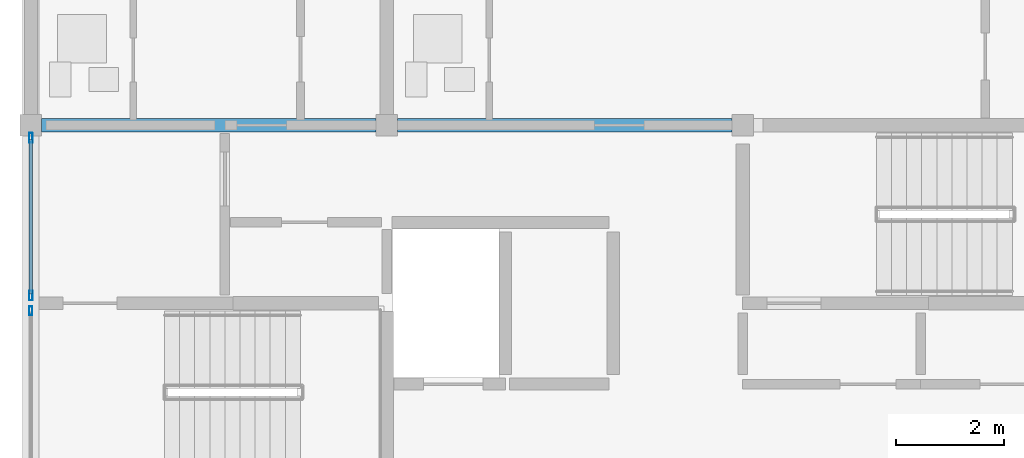
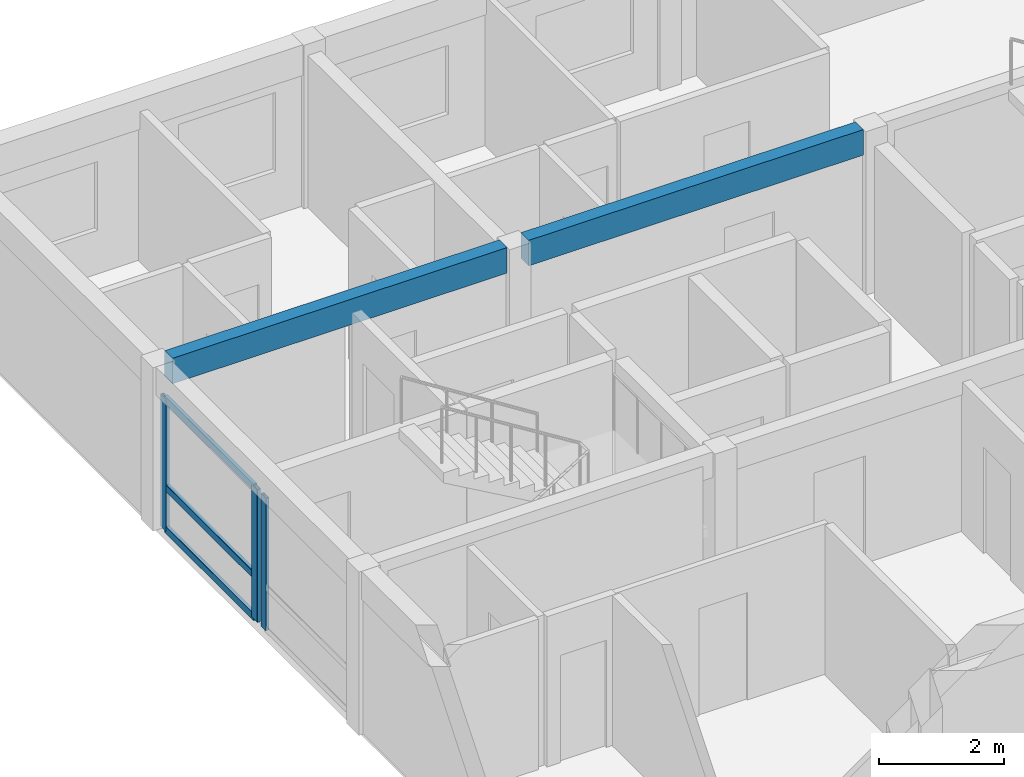
# One storey, part 4 of 12: 6 members, 2 beams, 2 elements without a shape of their own.
"""IFC4 building model written with IfcOpenShell, lengths in metres."""

import ifcopenshell
import ifcopenshell.guid

model = None  # the IFC model being written
_history = None  # IfcOwnerHistory: only IFC2X3 demands one
_inside = {}  # id of a spatial element -> (the spatial element, [elements in it])
_under = {}  # id of a project, library or spatial element -> (it, [spatial elements below it])
_declared = {}  # id of a project -> (the project, [libraries it declares])
_typed = {}  # id of a type object -> (the type object, [elements of that type])
_made_of = {}  # id of a material, layer set ... -> (it, [elements and type objects made of it])


def new_model(schema):
    """Start an empty IFC model of exactly this schema.

    Asked for "IFC4X3", IfcOpenShell would pick the latest addendum, in which some entities
    have other attributes; the version numbers below select the first issue.
    IFC2X3 requires an IfcOwnerHistory on every rooted entity: one is made here for all.
    """
    global model, _history
    if schema == "IFC4X3":
        model = ifcopenshell.file(schema_version=(4, 3, 0, 0))
    else:
        model = ifcopenshell.file(schema=schema)
    _inside.clear()
    _under.clear()
    _declared.clear()
    _typed.clear()
    _made_of.clear()
    _history = None
    if model.schema == "IFC2X3":
        org = make("IfcOrganization", Name="unknown")
        user = make(
            "IfcPersonAndOrganization",
            ThePerson=make("IfcPerson", FamilyName="unknown"),
            TheOrganization=org,
        )
        app = make(
            "IfcApplication",
            ApplicationDeveloper=org,
            Version="unknown",
            ApplicationFullName="unknown",
            ApplicationIdentifier="unknown",
        )
        _history = make(
            "IfcOwnerHistory",
            OwningUser=user,
            OwningApplication=app,
            ChangeAction="ADDED",
            CreationDate=0,
        )
    return model


def make(cls, **values):
    """One entity of the class cls with the attributes given. An attribute that is None is left unset."""
    return model.create_entity(
        cls, **{name: value for name, value in values.items() if value is not None}
    )


def rooted(cls, **values):
    """An entity with a GlobalId (a new one), such as an element, a storey or a relation."""
    return make(cls, GlobalId=ifcopenshell.guid.new(), OwnerHistory=_history, **values)


def si_unit(unit_type, name, prefix=None):
    """IfcSIUnit, for example si_unit("LENGTHUNIT", "METRE", prefix="MILLI")."""
    return make("IfcSIUnit", UnitType=unit_type, Prefix=prefix, Name=name)


def assignment(units):
    """IfcUnitAssignment: the units of a project."""
    return None if units is None else make("IfcUnitAssignment", Units=units)


def point(xyz):
    """IfcCartesianPoint."""
    return None if xyz is None else make("IfcCartesianPoint", Coordinates=xyz)


def direction(xyz):
    """IfcDirection."""
    return None if xyz is None else make("IfcDirection", DirectionRatios=xyz)


def frame(location, z_axis=None, x_axis=None):
    """IfcAxis2Placement3D, a coordinate frame: its origin and axes. An axis left out is left unset."""
    return make(
        "IfcAxis2Placement3D",
        Location=point(location),
        Axis=direction(z_axis),
        RefDirection=direction(x_axis),
    )


def frame_2d(location, x_axis=None):
    """IfcAxis2Placement2D, a coordinate frame in the plane: its origin and x axis."""
    return make(
        "IfcAxis2Placement2D", Location=point(location), RefDirection=direction(x_axis)
    )


def origin():
    """The frame at (0, 0, 0) with its axes left unset."""
    return frame((0.0, 0.0, 0.0))


def origin_2d():
    """The frame at (0, 0) in the plane with its x axis left unset."""
    return frame_2d((0.0, 0.0))


def place(relative_to, where):
    """IfcLocalPlacement: puts the frame where relative to a parent placement (None: the world)."""
    return make(
        "IfcLocalPlacement", PlacementRelTo=relative_to, RelativePlacement=where
    )


def context(
    kind, dimensions, precision=None, world=None, true_north=None, identifier=None
):
    """IfcGeometricRepresentationContext, for example the 3D "Model" context."""
    return make(
        "IfcGeometricRepresentationContext",
        ContextIdentifier=identifier,
        ContextType=kind,
        CoordinateSpaceDimension=dimensions,
        Precision=precision,
        WorldCoordinateSystem=world,
        TrueNorth=true_north,
    )


def subcontext(parent, identifier, kind, view, scale=None):
    """IfcGeometricRepresentationSubContext, for example "Body" below "Model"."""
    return make(
        "IfcGeometricRepresentationSubContext",
        ContextIdentifier=identifier,
        ContextType=kind,
        ParentContext=parent,
        TargetScale=scale,
        TargetView=view,
    )


def project(units=None, contexts=None):
    """IfcProject with its units and contexts."""
    return rooted(
        "IfcProject",
        Name="project",
        RepresentationContexts=contexts,
        UnitsInContext=assignment(units),
    )


def spatial(cls, under=None, at=None, **own):
    """A site, building, storey or space (cls), placed at a placement, below another one or the project."""
    s = rooted(cls, ObjectPlacement=at, **own)
    if under is not None:
        _under.setdefault(under.id(), (under, []))[1].append(s)
    return s


def profile(cls, at=None, kind="AREA", **sizes):
    """A parametric profile (cls). Its sizes go by their IFC names, for example OverallWidth=200.0."""
    return make(cls, ProfileType=kind, Position=at, **sizes)


def rectangle(**sizes):
    """IfcRectangleProfileDef."""
    return profile("IfcRectangleProfileDef", **sizes)


def hollow_rectangle(**sizes):
    """IfcRectangleHollowProfileDef."""
    return profile("IfcRectangleHollowProfileDef", **sizes)


def extrude(swept, where, along, depth):
    """IfcExtrudedAreaSolid: the profile swept, set in the frame where, extruded along a direction by depth."""
    return make(
        "IfcExtrudedAreaSolid",
        SweptArea=swept,
        Position=where,
        ExtrudedDirection=direction(along),
        Depth=depth,
    )


def shape(context_of_items, identifier, shape_type, items):
    """IfcShapeRepresentation: the items that make up one representation, for example the "Body"."""
    return make(
        "IfcShapeRepresentation",
        ContextOfItems=context_of_items,
        RepresentationIdentifier=identifier,
        RepresentationType=shape_type,
        Items=items,
    )


def material(Name=None, Category=None):
    """IfcMaterial."""
    return make("IfcMaterial", Name=Name, Category=Category)


def material_profile(
    of_material, cross_section, Name=None, Category=None, Priority=None
):
    """IfcMaterialProfile: a cross section and its material."""
    return make(
        "IfcMaterialProfile",
        Name=Name,
        Material=of_material,
        Profile=cross_section,
        Priority=Priority,
        Category=Category,
    )


def profile_set(profiles, Name=None, composite=None):
    """IfcMaterialProfileSet."""
    return make(
        "IfcMaterialProfileSet",
        Name=Name,
        MaterialProfiles=profiles,
        CompositeProfile=composite,
    )


def made_of(thing, what):
    """Note that an element or type object is made of a material, layer set ...; save() writes the relation."""
    if what is not None:
        _made_of.setdefault(what.id(), (what, []))[1].append(thing)
    return thing


def type_object(cls, material=None, **own):
    """A type object (cls), such as IfcWallType, which elements share."""
    return made_of(rooted(cls, **own), material)


def element(
    cls,
    number,
    at=None,
    inside=None,
    cuts=None,
    type_object=None,
    material=None,
    context=None,
    identifier="Body",
    shape_type=None,
    held_by="IfcProductDefinitionShape",
    body=None,
    shapes=None,
    **own,
):
    """One element of the class cls, such as IfcWall. Its Tag is "e" and its number.

    at: its placement. inside: the storey or other place that contains it. cuts: it is an
    opening in that element (IfcRelVoidsElement). A single representation is given by context,
    identifier, shape_type and body (its items); several are given by shapes. held_by: the class
    of the entity that holds the representations. save() writes the other relations.
    """
    e = rooted(cls, Tag="e%d" % number, ObjectPlacement=at, **own)
    if body is not None:
        shapes = [shape(context, identifier, shape_type, body)]
    if shapes is not None:
        e.Representation = make(held_by, Representations=shapes)
    if inside is not None:
        _inside.setdefault(inside.id(), (inside, []))[1].append(e)
    if cuts is not None:
        rooted(
            "IfcRelVoidsElement", RelatingBuildingElement=cuts, RelatedOpeningElement=e
        )
    if type_object is not None:
        _typed.setdefault(type_object.id(), (type_object, []))[1].append(e)
    return made_of(e, material)


def aggregate(whole, parts):
    """IfcRelAggregates: a whole, such as a stair, and the parts it consists of."""
    return rooted("IfcRelAggregates", RelatingObject=whole, RelatedObjects=parts)


def save(model, path):
    """Write the relations noted so far, then the file.

    IfcRelAggregates (storeys below a building ...), IfcRelContainedInSpatialStructure (elements
    in a storey), IfcRelDefinesByType, IfcRelAssociatesMaterial and IfcRelDeclares: one each for
    every whole, place, type object, material and project.
    """
    for whole, parts in _under.values():
        aggregate(whole, parts)
    for where, things in _inside.values():
        rooted(
            "IfcRelContainedInSpatialStructure",
            RelatedElements=things,
            RelatingStructure=where,
        )
    for kind, things in _typed.values():
        rooted("IfcRelDefinesByType", RelatedObjects=things, RelatingType=kind)
    for what, things in _made_of.values():
        rooted("IfcRelAssociatesMaterial", RelatedObjects=things, RelatingMaterial=what)
    for by, libraries in _declared.values():
        rooted("IfcRelDeclares", RelatingContext=by, RelatedDefinitions=libraries)
    model.write(path)


model = new_model("IFC4")

# Units and contexts
model_context = context("Model", 3, precision=1e-05, world=origin(), true_north=direction((0.0, 1.0)))
body_context = subcontext(model_context, "Body", "Model", "MODEL_VIEW")
ifc_project = project(units=[si_unit("LENGTHUNIT", "METRE"), si_unit("AREAUNIT", "SQUARE_METRE"), si_unit("VOLUMEUNIT", "CUBIC_METRE"), si_unit("PLANEANGLEUNIT", "RADIAN"), si_unit("MASSUNIT", "GRAM", prefix="KILO")], contexts=[model_context])

# Site, building, storey
site_placement = place(None, origin())
site = spatial("IfcSite", under=ifc_project, at=site_placement, CompositionType="ELEMENT")
building_placement = place(site_placement, origin())
building = spatial("IfcBuilding", under=site, at=building_placement, Name="Kernevlak Ridge Housing Community", CompositionType="ELEMENT")
storey_placement = place(building_placement, frame((0.0, 0.0, 53.199951171875)))
storey = spatial("IfcBuildingStorey", under=building, at=storey_placement, Name="L16", CompositionType="ELEMENT", Elevation=53.199951171875)

# Beams
ifc_material_1 = material(Name="Concrete C35/45", Category="concrete")
ifc_material_profile_1 = material_profile(ifc_material_1, rectangle(XDim=0.25, YDim=0.5, at=origin_2d()), Name="RC 250x500")
ifc_profile_set_1 = profile_set([ifc_material_profile_1], Name="Concrete C35/45")
beam_type = type_object("IfcBeamType", Name="B-06", PredefinedType="T_BEAM", material=ifc_profile_set_1)
beam_1_placement = place(storey_placement, frame((15.800048828125, 89.199951171875, 2.949951171875), z_axis=(1.0, 0.0, 0.0), x_axis=(0.0, 1.0, 0.0)))
element("IfcBeam", 1, at=beam_1_placement, inside=storey, type_object=beam_type, Name="Beam B-06 L16 483", PredefinedType="T_BEAM", context=body_context, shape_type="SweptSolid", body=[
    extrude(rectangle(XDim=0.25, YDim=0.5, at=origin_2d()), origin(), (0.0, 0.0, 1.0), 6.199951171875),
])
beam_2_placement = place(storey_placement, frame((22.39990234375, 89.199951171875, 2.949951171875), z_axis=(1.0, 0.0, 0.0), x_axis=(0.0, 1.0, 0.0)))
element("IfcBeam", 2, at=beam_2_placement, inside=storey, type_object=beam_type, Name="Beam B-06 L16 484", PredefinedType="T_BEAM", context=body_context, shape_type="SweptSolid", body=[
    extrude(rectangle(XDim=0.25, YDim=0.5, at=origin_2d()), origin(), (0.0, 0.0, 1.0), 6.2001953125),
])

# Curtain wall, member
ifc_material_2 = material(Name="Aluminium EN AW-6060 anodised and laminated glass", Category="aluminium")
curtain_wall_type_1 = type_object("IfcCurtainWallType", Name="CW-01", PredefinedType="NOTDEFINED", material=ifc_material_2)
curtain_wall_1_placement = place(storey_placement, origin())
curtain_wall_1 = element("IfcCurtainWall", 3, at=curtain_wall_1_placement, inside=storey, type_object=curtain_wall_type_1, Name="Curtain wall CW-01 CW-L16-049", PredefinedType="NOTDEFINED")
ifc_material_3 = material(Name="Aluminium EN AW-6060 anodised", Category="aluminium")
ifc_material_profile_2 = material_profile(ifc_material_3, hollow_rectangle(XDim=0.06005859375, YDim=0.159912109375, WallThickness=0.00390625, InnerFilletRadius=0.001953125, OuterFilletRadius=0.00390625, at=origin_2d()), Name="ALU 60x160x4")
ifc_profile_set_2 = profile_set([ifc_material_profile_2], Name="Aluminium EN AW-6060 anodised")
member_type_1 = type_object("IfcMemberType", Name="MU-02", PredefinedType="MULLION", material=ifc_profile_set_2)
member_1_placement = place(storey_placement, frame((15.60009765625, 85.760009765625, 0.0), z_axis=(0.0, 0.0, 1.0), x_axis=(-1.0, 0.0, 0.0)))
member_1 = element("IfcMember", 4, at=member_1_placement, type_object=member_type_1, Name="CW-01 mullion 2", PredefinedType="MULLION", context=body_context, shape_type="SweptSolid", body=[
    extrude(hollow_rectangle(XDim=0.06005859375, YDim=0.159912109375, WallThickness=0.00390625, InnerFilletRadius=0.001953125, OuterFilletRadius=0.00390625, at=origin_2d()), origin(), (0.0, 0.0, 1.0), 2.60009765625),
])
aggregate(curtain_wall_1, [member_1])

# Curtain wall, members
curtain_wall_type_2 = type_object("IfcCurtainWallType", Name="CW-08", PredefinedType="NOTDEFINED", material=ifc_material_2)
curtain_wall_2_placement = place(storey_placement, origin())
curtain_wall_2 = element("IfcCurtainWall", 5, at=curtain_wall_2_placement, inside=storey, type_object=curtain_wall_type_2, Name="Curtain wall CW-08 CW-L16-050", PredefinedType="NOTDEFINED")
ifc_material_profile_3 = material_profile(ifc_material_3, hollow_rectangle(XDim=0.06494140625, YDim=0.179931640625, WallThickness=0.00439453125, InnerFilletRadius=0.001953125, OuterFilletRadius=0.00439453125, at=origin_2d()), Name="ALU 65x180x4.5")
ifc_profile_set_3 = profile_set([ifc_material_profile_3], Name="Aluminium EN AW-6060 anodised")
member_type_2 = type_object("IfcMemberType", Name="MU-03", PredefinedType="MULLION", material=ifc_profile_set_3)
member_2_placement = place(storey_placement, frame((15.60009765625, 86.04248046875, 0.0), z_axis=(0.0, 0.0, 1.0), x_axis=(-1.0, 0.0, 0.0)))
member_2 = element("IfcMember", 6, at=member_2_placement, type_object=member_type_2, Name="CW-08 mullion 1", PredefinedType="MULLION", context=body_context, shape_type="SweptSolid", body=[
    extrude(hollow_rectangle(XDim=0.06494140625, YDim=0.179931640625, WallThickness=0.00439453125, InnerFilletRadius=0.001953125, OuterFilletRadius=0.00439453125, at=origin_2d()), origin(), (0.0, 0.0, 1.0), 2.60009765625),
])
member_3_placement = place(storey_placement, frame((15.60009765625, 88.967529296875, 0.0), z_axis=(0.0, 0.0, 1.0), x_axis=(-1.0, 0.0, 0.0)))
member_3 = element("IfcMember", 7, at=member_3_placement, type_object=member_type_2, Name="CW-08 mullion 2", PredefinedType="MULLION", context=body_context, shape_type="SweptSolid", body=[
    extrude(hollow_rectangle(XDim=0.06494140625, YDim=0.179931640625, WallThickness=0.00439453125, InnerFilletRadius=0.001953125, OuterFilletRadius=0.00439453125, at=origin_2d()), origin(), (0.0, 0.0, 1.0), 2.60009765625),
])
ifc_material_profile_4 = material_profile(ifc_material_3, hollow_rectangle(XDim=0.06494140625, YDim=0.139892578125, WallThickness=0.00390625, InnerFilletRadius=0.001953125, OuterFilletRadius=0.00390625, at=origin_2d()), Name="ALU 65x140x4")
ifc_profile_set_4 = profile_set([ifc_material_profile_4], Name="Aluminium EN AW-6060 anodised")
member_type_3 = type_object("IfcMemberType", Name="TM-03", PredefinedType="USERDEFINED", material=ifc_profile_set_4)
member_4_placement = place(storey_placement, frame((15.60009765625, 86.074951171875, 0.032470703125), z_axis=(0.0, 1.0, 0.0), x_axis=(-1.0, 0.0, 0.0)))
member_4 = element("IfcMember", 8, at=member_4_placement, type_object=member_type_3, Name="CW-08 transom 1.1", ObjectType="TRANSOM", PredefinedType="USERDEFINED", context=body_context, shape_type="SweptSolid", body=[
    extrude(hollow_rectangle(XDim=0.06494140625, YDim=0.139892578125, WallThickness=0.00390625, InnerFilletRadius=0.001953125, OuterFilletRadius=0.00390625, at=origin_2d()), origin(), (0.0, 0.0, 1.0), 2.860107421875),
])
member_5_placement = place(storey_placement, frame((15.60009765625, 86.074951171875, 0.85009765625), z_axis=(0.0, 1.0, 0.0), x_axis=(-1.0, 0.0, 0.0)))
member_5 = element("IfcMember", 9, at=member_5_placement, type_object=member_type_3, Name="CW-08 transom 1.2", ObjectType="TRANSOM", PredefinedType="USERDEFINED", context=body_context, shape_type="SweptSolid", body=[
    extrude(hollow_rectangle(XDim=0.06494140625, YDim=0.139892578125, WallThickness=0.00390625, InnerFilletRadius=0.001953125, OuterFilletRadius=0.00390625, at=origin_2d()), origin(), (0.0, 0.0, 1.0), 2.860107421875),
])
member_6_placement = place(storey_placement, frame((15.60009765625, 86.074951171875, 2.567626953125), z_axis=(0.0, 1.0, 0.0), x_axis=(-1.0, 0.0, 0.0)))
member_6 = element("IfcMember", 10, at=member_6_placement, type_object=member_type_3, Name="CW-08 transom 1.3", ObjectType="TRANSOM", PredefinedType="USERDEFINED", context=body_context, shape_type="SweptSolid", body=[
    extrude(hollow_rectangle(XDim=0.06494140625, YDim=0.139892578125, WallThickness=0.00390625, InnerFilletRadius=0.001953125, OuterFilletRadius=0.00390625, at=origin_2d()), origin(), (0.0, 0.0, 1.0), 2.860107421875),
])
aggregate(curtain_wall_2, [member_2, member_3, member_4, member_5, member_6])

save(model, "model.ifc")
